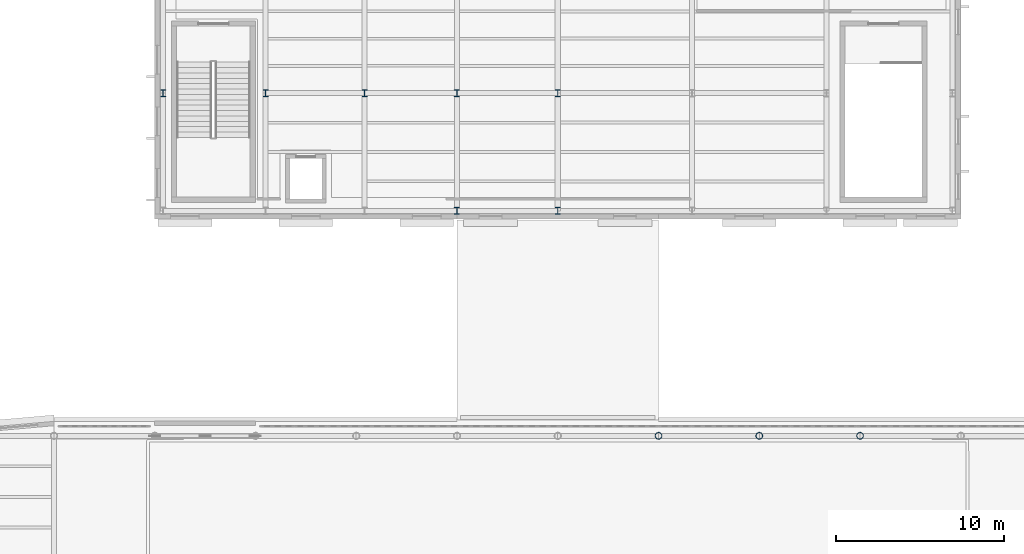
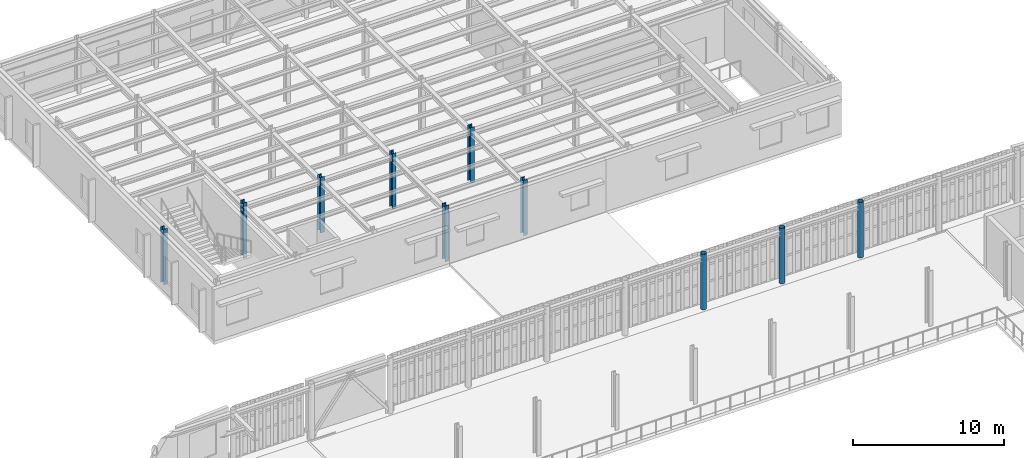
# One storey, part 11 of 91: 10 columns.
"""IFC4 building model written with IfcOpenShell, lengths in metres."""

from ifc_helpers import new_model, si_unit, direction, frame, origin, origin_2d, place, context, subcontext, project, spatial, hollow_circle, i_section, extrude, material, material_profile, profile_set, type_object, element, save


model = new_model("IFC4")

# Units and contexts
model_context = context("Model", 3, precision=1e-05, world=origin(), true_north=direction((0.0, 1.0)))
body_context = subcontext(model_context, "Body", "Model", "MODEL_VIEW")
ifc_project = project(units=[si_unit("LENGTHUNIT", "METRE"), si_unit("AREAUNIT", "SQUARE_METRE"), si_unit("VOLUMEUNIT", "CUBIC_METRE"), si_unit("PLANEANGLEUNIT", "RADIAN"), si_unit("MASSUNIT", "GRAM", prefix="KILO")], contexts=[model_context])

# Site, building, storey
site_placement = place(None, origin())
site = spatial("IfcSite", under=ifc_project, at=site_placement, CompositionType="ELEMENT")
building_placement = place(site_placement, origin())
building = spatial("IfcBuilding", under=site, at=building_placement, Name="Kolvaren Corner Interchange", CompositionType="ELEMENT")
storey_placement = place(building_placement, frame((0.0, 0.0, 6.0)))
storey = spatial("IfcBuildingStorey", under=building, at=storey_placement, Name="L02", CompositionType="ELEMENT", Elevation=6.0)

# Columns
ifc_material_1 = material(Name="Steel S355", Category="steel")
ifc_material_profile_1 = material_profile(ifc_material_1, hollow_circle(Radius=0.203125, WallThickness=0.01611328125, at=origin_2d()), Name="CHS 406.4x16.0")
ifc_profile_set_1 = profile_set([ifc_material_profile_1], Name="Steel S355")
column_type_1 = type_object("IfcColumnType", Name="COL-CHS406", PredefinedType="COLUMN", material=ifc_profile_set_1)
for number, where, z_axis, x_axis, name in (
    (1, (96.0, 71.10009765625, 0.0), (0.0, 0.0, 1.0), (1.0, 0.0, 0.0), "Storey L02 Structural Column 0601"),
    (2, (102.0, 71.10009765625, 0.0), (0.0, 0.0, 1.0), (1.0, 0.0, 0.0), "Storey L02 Structural Column 0621"),
    (3, (108.0, 71.10009765625, 0.0), (0.0, 0.0, 1.0), (1.0, 0.0, 0.0), "Storey L02 Structural Column 0641"),
):
    element("IfcColumn", number, at=place(storey_placement, frame(where, z_axis=z_axis, x_axis=x_axis)), inside=storey, type_object=column_type_1, Name=name, PredefinedType="COLUMN", context=body_context, shape_type="SweptSolid", body=[
        extrude(hollow_circle(Radius=0.203125, WallThickness=0.01611328125, at=origin_2d()), origin(), (0.0, 0.0, 1.0), 4.5),
    ])
ifc_material_2 = material(Name="Steel S355", Category="steel")
ifc_material_profile_2 = material_profile(ifc_material_2, i_section(OverallWidth=0.300048828125, OverallDepth=0.39990234375, WebThickness=0.013427734375, FlangeThickness=0.02392578125, FilletRadius=0.027099609375, at=origin_2d()), Name="HEB 400")
ifc_profile_set_2 = profile_set([ifc_material_profile_2], Name="Steel S355")
column_type_2 = type_object("IfcColumnType", Name="COL-HEB400", PredefinedType="COLUMN", material=ifc_profile_set_2)
for number, where, z_axis, x_axis, name in (
    (4, (66.5, 91.5, 0.0), (0.0, 0.0, 1.0), (1.0, 0.0, 0.0), "Storey L02 Structural Column 0851"),
    (5, (72.60009765625, 91.5, 0.0), (0.0, 0.0, 1.0), (1.0, 0.0, 0.0), "Storey L02 Structural Column 0864"),
    (6, (78.5, 91.5, 0.0), (0.0, 0.0, 1.0), (1.0, 0.0, 0.0), "Storey L02 Structural Column 0877"),
    (7, (84.0, 84.5, 0.0), (0.0, 0.0, 1.0), (1.0, 0.0, 0.0), "Storey L02 Structural Column 0887"),
    (8, (84.0, 91.5, 0.0), (0.0, 0.0, 1.0), (1.0, 0.0, 0.0), "Storey L02 Structural Column 0889"),
    (9, (90.0, 84.5, 0.0), (0.0, 0.0, 1.0), (1.0, 0.0, 0.0), "Storey L02 Structural Column 0897"),
    (10, (90.0, 91.5, 0.0), (0.0, 0.0, 1.0), (1.0, 0.0, 0.0), "Storey L02 Structural Column 0899"),
):
    element("IfcColumn", number, at=place(storey_placement, frame(where, z_axis=z_axis, x_axis=x_axis)), inside=storey, type_object=column_type_2, Name=name, PredefinedType="COLUMN", context=body_context, shape_type="SweptSolid", body=[
        extrude(i_section(OverallWidth=0.300048828125, OverallDepth=0.39990234375, WebThickness=0.013427734375, FlangeThickness=0.02392578125, FilletRadius=0.027099609375, at=origin_2d()), origin(), (0.0, 0.0, 1.0), 4.5),
    ])

save(model, "model.ifc")
